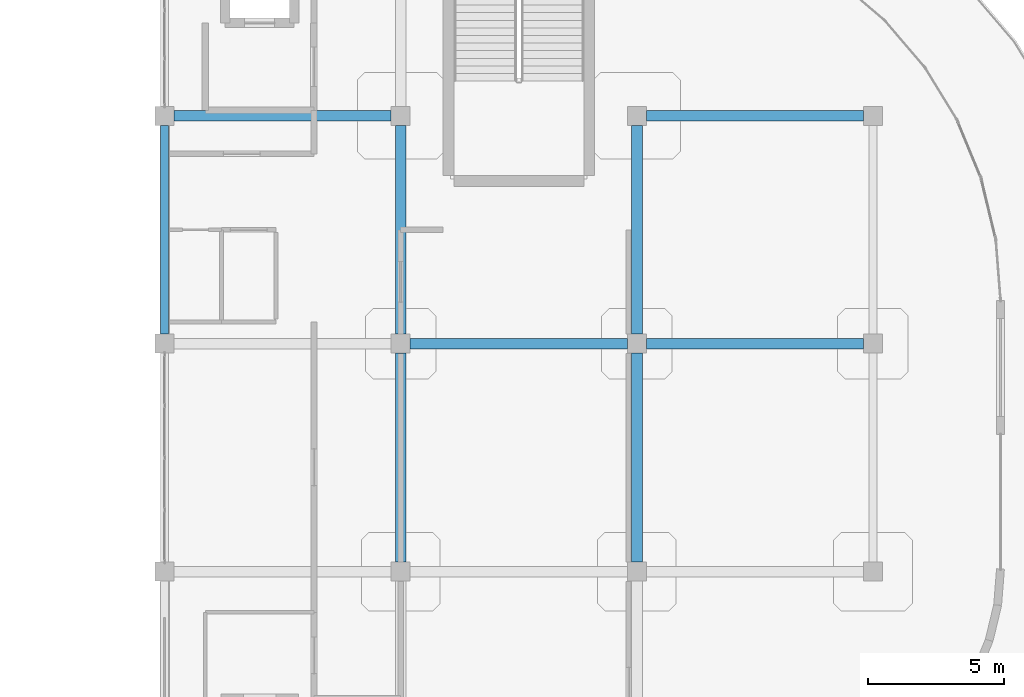
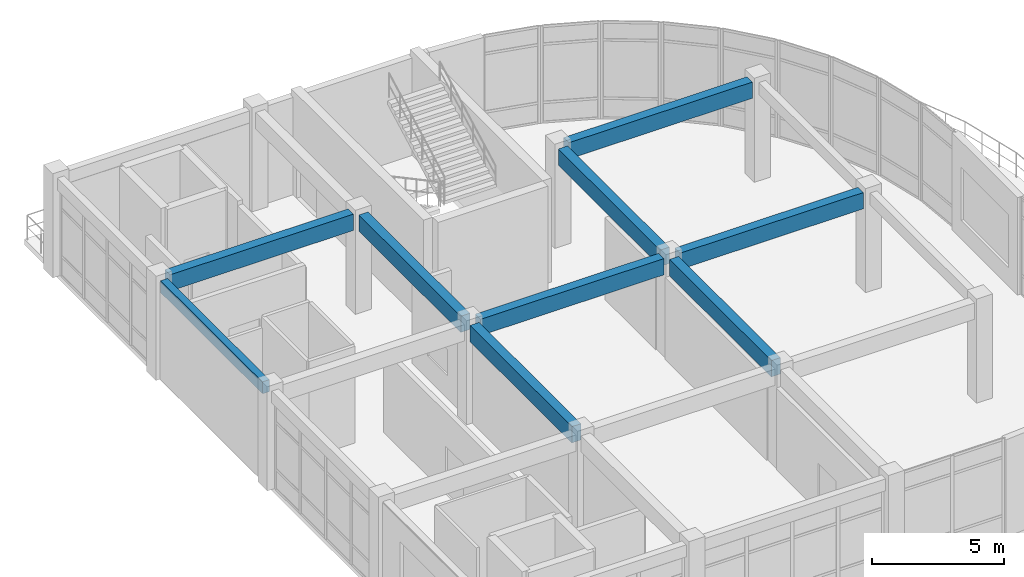
# One storey, part 44 of 76: 9 beams.
"""IFC4 building model written with IfcOpenShell, lengths in metres."""

from ifc_helpers import new_model, si_unit, derived_unit, direction, frame, origin, origin_2d, place, context, subcontext, project, spatial, rectangle, extrude, material, material_profile, profile_set, type_object, element, save


model = new_model("IFC4")

# Units and contexts
model_context = context("Model", 3, precision=1e-05, world=origin(), true_north=direction((0.0, 1.0)))
body_context = subcontext(model_context, "Body", "Model", "MODEL_VIEW")
ifc_project = project(units=[si_unit("LENGTHUNIT", "METRE"), si_unit("AREAUNIT", "SQUARE_METRE"), si_unit("VOLUMEUNIT", "CUBIC_METRE"), si_unit("PLANEANGLEUNIT", "RADIAN"), si_unit("MASSUNIT", "GRAM", prefix="KILO"), derived_unit("THERMALTRANSMITTANCEUNIT", [(si_unit("MASSUNIT", "GRAM", prefix="KILO"), 1), (si_unit("TIMEUNIT", "SECOND"), -3), (si_unit("THERMODYNAMICTEMPERATUREUNIT", "KELVIN"), -1)])], contexts=[model_context])

# Site, building, storey
site_placement = place(None, origin())
site = spatial("IfcSite", under=ifc_project, at=site_placement, CompositionType="ELEMENT")
building_placement = place(site_placement, origin())
building = spatial("IfcBuilding", under=site, at=building_placement, Name="Qinzheling Arcade Emporium", CompositionType="ELEMENT")
storey_placement = place(building_placement, frame((0.0, 0.0, 26.699951171875)))
storey = spatial("IfcBuildingStorey", under=building, at=storey_placement, Name="L06", CompositionType="ELEMENT", Elevation=26.699951171875)

# Beams
ifc_material = material(Name="Concrete C40", Category="concrete")
ifc_material_profile_1 = material_profile(ifc_material, rectangle(XDim=0.39990234375, YDim=0.75, at=origin_2d()), Name="RC 400x750", Category="concrete")
ifc_profile_set_1 = profile_set([ifc_material_profile_1], Name="Concrete C40")
beam_type_1 = type_object("IfcBeamType", Name="RC Interior Tie Beam 400x750 C40", PredefinedType="BEAM", material=ifc_profile_set_1)
for number, where, z_axis, x_axis, name in (
    (1, (113.449951171875, 90.60009765625, 4.16015625), (1.0, 0.0, 0.0), (0.0, 1.0, 0.0), "Beam BM-L06-X-L-14"),
    (2, (122.14990234375, 90.60009765625, 4.16015625), (1.0, 0.0, 0.0), (0.0, 1.0, 0.0), "Beam BM-L06-X-L-15"),
    (3, (104.75, 99.0, 4.16015625), (1.0, 0.0, 0.0), (0.0, 1.0, 0.0), "Beam BM-L06-X-M-13"),
    (4, (122.14990234375, 99.0, 4.16015625), (1.0, 0.0, 0.0), (0.0, 1.0, 0.0), "Beam BM-L06-X-M-15"),
):
    element("IfcBeam", number, at=place(storey_placement, frame(where, z_axis=z_axis, x_axis=x_axis)), inside=storey, type_object=beam_type_1, Name=name, PredefinedType="BEAM", context=body_context, shape_type="SweptSolid", body=[
        extrude(rectangle(XDim=0.39990234375, YDim=0.75, at=origin_2d()), origin(), (0.0, 0.0, 1.0), 8.0),
    ])
for number, where, z_axis, x_axis, name in (
    (5, (113.10009765625, 82.550048828125, 4.16015625), (0.0, 1.0, 0.0), (-1.0, 0.0, 0.0), "Beam BM-L06-Y-14-K"),
    (6, (113.10009765625, 90.949951171875, 4.16015625), (0.0, 1.0, 0.0), (-1.0, 0.0, 0.0), "Beam BM-L06-Y-14-L"),
    (7, (121.800048828125, 82.550048828125, 4.16015625), (0.0, 1.0, 0.0), (-1.0, 0.0, 0.0), "Beam BM-L06-Y-15-K"),
    (8, (121.800048828125, 90.949951171875, 4.16015625), (0.0, 1.0, 0.0), (-1.0, 0.0, 0.0), "Beam BM-L06-Y-15-L"),
):
    element("IfcBeam", number, at=place(storey_placement, frame(where, z_axis=z_axis, x_axis=x_axis)), inside=storey, type_object=beam_type_1, Name=name, PredefinedType="BEAM", context=body_context, shape_type="SweptSolid", body=[
        extrude(rectangle(XDim=0.39990234375, YDim=0.75, at=origin_2d()), origin(), (0.0, 0.0, 1.0), 7.699951171875),
    ])
ifc_material_profile_2 = material_profile(ifc_material, rectangle(XDim=0.300048828125, YDim=0.550048828125, at=origin_2d()), Name="RC 300x550", Category="concrete")
ifc_profile_set_2 = profile_set([ifc_material_profile_2], Name="Concrete C40")
beam_type_2 = type_object("IfcBeamType", Name="RC Terrace Spandrel Beam 300x550 C40", PredefinedType="SPANDREL", material=ifc_profile_set_2)
beam_placement = place(storey_placement, frame((104.39990234375, 90.949951171875, 4.260009765625), z_axis=(0.0, 1.0, 0.0), x_axis=(-1.0, 0.0, 0.0)))
element("IfcBeam", 9, at=beam_placement, inside=storey, type_object=beam_type_2, Name="Beam BM-L06-Y-13-L", PredefinedType="SPANDREL", context=body_context, shape_type="SweptSolid", body=[
    extrude(rectangle(XDim=0.300048828125, YDim=0.550048828125, at=origin_2d()), origin(), (0.0, 0.0, 1.0), 7.699951171875),
])

save(model, "model.ifc")
